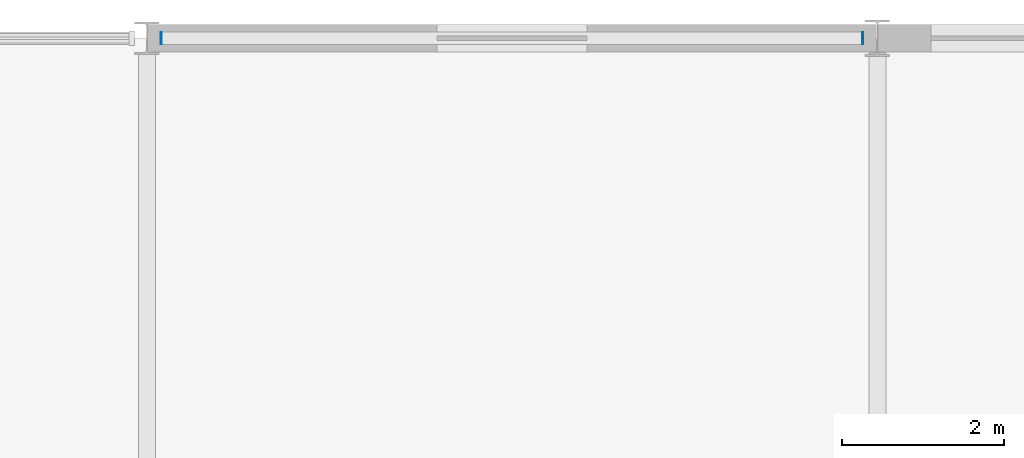
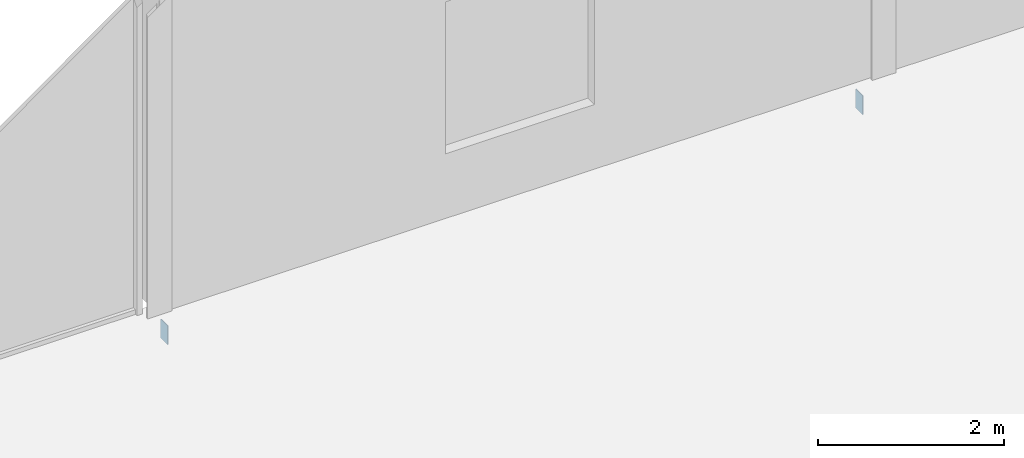
# One storey, part 58 of 73: 2 discrete accessories.
"""IFC4 building model written with IfcOpenShell, lengths in metres."""

from ifc_helpers import new_model, si_unit, direction, frame, origin, place, context, subcontext, project, spatial, polyline, outline, extrude, material, layer, layer_set, type_object, element, save


model = new_model("IFC4")

# Units and contexts
model_context = context("Model", 3, precision=1e-05, world=origin(), true_north=direction((0.0, 1.0)))
body_context = subcontext(model_context, "Body", "Model", "MODEL_VIEW")
ifc_project = project(units=[si_unit("LENGTHUNIT", "METRE"), si_unit("AREAUNIT", "SQUARE_METRE"), si_unit("VOLUMEUNIT", "CUBIC_METRE"), si_unit("PLANEANGLEUNIT", "RADIAN"), si_unit("MASSUNIT", "GRAM", prefix="KILO")], contexts=[model_context])

# Site, building, storey
site_placement = place(None, origin())
site = spatial("IfcSite", under=ifc_project, at=site_placement, CompositionType="ELEMENT")
building_placement = place(site_placement, origin())
building = spatial("IfcBuilding", under=site, at=building_placement, Name="Kisiwana Market Hall", CompositionType="ELEMENT")
storey_placement = place(building_placement, frame((0.0, 0.0, 33.300048828125)))
storey = spatial("IfcBuildingStorey", under=building, at=storey_placement, Name="L07", CompositionType="ELEMENT", Elevation=33.300048828125)

# Discrete accessories
ifc_material = material(Name="Steel S355", Category="steel")
ifc_layer = layer(ifc_material, 0.011962890625)
ifc_layer_set = layer_set([ifc_layer], Name="ACC-ENDCAP-STL")
discrete_accessory_type = type_object("IfcDiscreteAccessoryType", Name="ACC-ENDCAP-STL", PredefinedType="USERDEFINED", material=ifc_layer_set)
discrete_accessory_1_placement = place(storey_placement, frame((0.0, 0.0, -0.530029296875)))
element("IfcDiscreteAccessory", 1, at=discrete_accessory_1_placement, inside=storey, type_object=discrete_accessory_type, Name="End cap plate EC-0097", ObjectType="End cap plate", PredefinedType="USERDEFINED", context=body_context, shape_type="SweptSolid", body=[
    extrude(outline(polyline([(170.816650390625, 110.925048828125), (170.82861328125, 110.925048828125), (170.82861328125, 111.074951171875), (170.816650390625, 111.074951171875), (170.816650390625, 110.925048828125)])), origin(), (0.0, 0.0, 1.0), 0.25),
])
discrete_accessory_2_placement = place(storey_placement, frame((0.0, 0.0, -0.530029296875)))
element("IfcDiscreteAccessory", 2, at=discrete_accessory_2_placement, inside=storey, type_object=discrete_accessory_type, Name="End cap plate EC-0098", ObjectType="End cap plate", PredefinedType="USERDEFINED", context=body_context, shape_type="SweptSolid", body=[
    extrude(outline(polyline([(162.18115234375, 110.925048828125), (162.18115234375, 111.074951171875), (162.169189453125, 111.074951171875), (162.169189453125, 110.925048828125), (162.18115234375, 110.925048828125)])), origin(), (0.0, 0.0, 1.0), 0.25),
])

save(model, "model.ifc")
